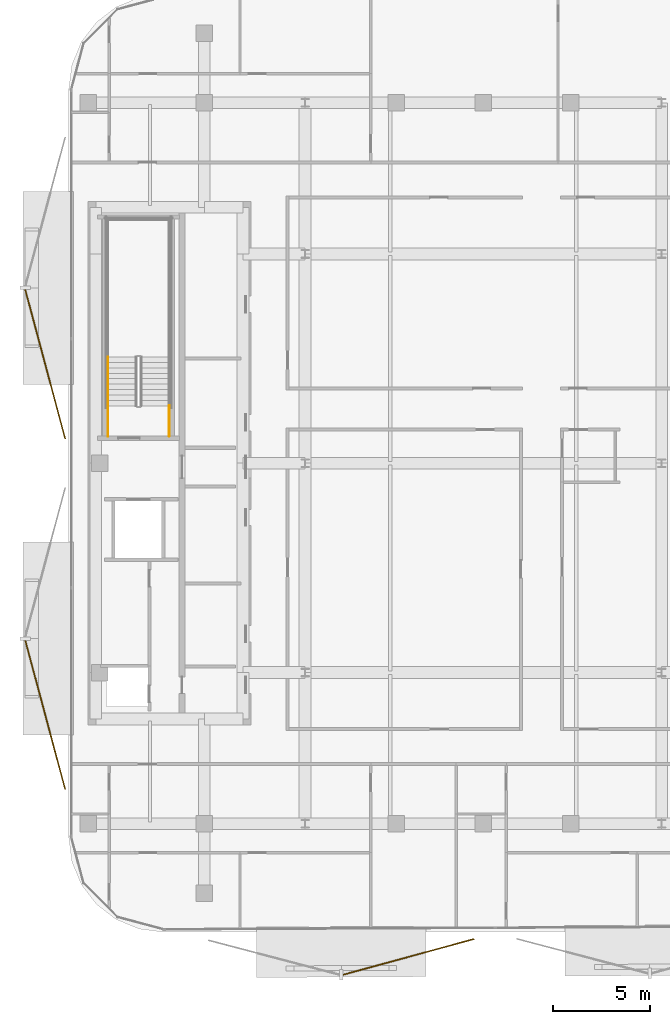
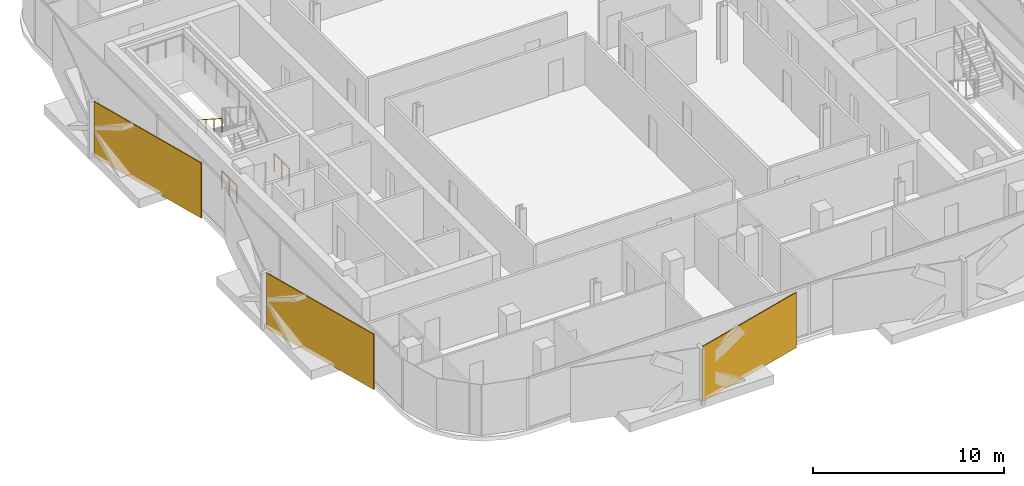
# One storey, part 12 of 15: 3 coverings, 3 railings.
"""IFC4 building model written with IfcOpenShell, lengths in metres."""

from ifc_helpers import new_model, si_unit, direction, frame, origin, origin_2d, place, context, subcontext, project, spatial, rectangle, circle, extrude, material, layer, layer_set, type_object, element, save


model = new_model("IFC4")

# Units and contexts
model_context = context("Model", 3, precision=1e-05, world=origin(), true_north=direction((0.0, 1.0)))
body_context = subcontext(model_context, "Body", "Model", "MODEL_VIEW")
ifc_project = project(units=[si_unit("LENGTHUNIT", "METRE"), si_unit("AREAUNIT", "SQUARE_METRE"), si_unit("VOLUMEUNIT", "CUBIC_METRE"), si_unit("PLANEANGLEUNIT", "RADIAN"), si_unit("MASSUNIT", "GRAM", prefix="KILO")], contexts=[model_context])

# Site, building, storey
site_placement = place(None, origin())
site = spatial("IfcSite", under=ifc_project, at=site_placement, CompositionType="ELEMENT")
building_placement = place(site_placement, origin())
building = spatial("IfcBuilding", under=site, at=building_placement, Name="Khairoan Windgate Tower", CompositionType="ELEMENT")
storey_placement = place(building_placement, frame((0.0, 0.0, 269.199951171875)))
storey = spatial("IfcBuildingStorey", under=building, at=storey_placement, Name="L64", CompositionType="ELEMENT", Elevation=269.199951171875)

# Coverings
ifc_material_1 = material(Name="Anodised Bronze Aluminium 6063-T6", Category="aluminium")
ifc_layer = layer(ifc_material_1, 0.054931640625, Name="Anodised Bronze Aluminium 6063-T6")
ifc_layer_set = layer_set([ifc_layer], Name="Anodised Bronze Aluminium 6063-T6")
covering_type = type_object("IfcCoveringType", Name="Perforated Bronze-Ceramic Folded Solar Screen Cladding BSC-1", PredefinedType="CLADDING", material=ifc_layer_set)
covering_placement = place(storey_placement, frame((-3.85693359375, -25.4736328125, -0.099853515625), z_axis=(0.0, 0.0, 1.0), x_axis=(-0.964695449838, -0.263367972734, 0.0)))
element("IfcCovering", 1, at=covering_placement, inside=storey, type_object=covering_type, Name="L64 Folded Bronze Solar Screen Facet 442L", PredefinedType="CLADDING", context=body_context, shape_type="SweptSolid", body=[
    extrude(rectangle(XDim=7.0009765625, YDim=0.054931640625, at=origin_2d()), origin(), (0.0, 0.0, 1.0), 3.5400390625),
])
for number, where, z_axis, x_axis, name in (
    (2, (-22.60986328125, -12.979736328125, -0.099853515625), (0.0, 0.0, 1.0), (-0.258819045103, 0.965925826289, 0.0), "L64 Folded Bronze Solar Screen Facet 443L"),
    (3, (-22.60986328125, 5.111083984375, -0.099853515625), (0.0, 0.0, 1.0), (-0.258819045103, 0.965925826289, 0.0), "L64 Folded Bronze Solar Screen Facet 444L"),
):
    element("IfcCovering", number, at=place(storey_placement, frame(where, z_axis=z_axis, x_axis=x_axis)), inside=storey, type_object=covering_type, Name=name, PredefinedType="CLADDING", context=body_context, shape_type="SweptSolid", body=[
        extrude(rectangle(XDim=7.9599609375, YDim=0.054931640625, at=origin_2d()), origin(), (0.0, 0.0, 1.0), 3.5400390625),
    ])

# Railings
ifc_material_2 = material(Name="Anodised Bronze Aluminium 6063-T6", Category="aluminium")
railing_type_1 = type_object("IfcRailingType", Name="Stair Wall Handrail SHR-900", PredefinedType="HANDRAIL", material=ifc_material_2)
railing_placement = place(storey_placement, frame((-19.3701171875, 5.47998046875, 1.97998046875)))
element("IfcRailing", 4, at=railing_placement, inside=storey, type_object=railing_type_1, Name="L64 ST2 stair handrail 2", PredefinedType="HANDRAIL", context=body_context, shape_type="SweptSolid", body=[
    extrude(circle(Radius=0.02392578125, at=origin_2d()), frame((0.0, 0.0, 0.8759765625), z_axis=(0.0, -0.841162588446, 0.540782303519), x_axis=(1.0, 0.0, 0.0)), (0.0, 0.0, 1.0), 2.995849609375),
    extrude(circle(Radius=0.02099609375, at=origin_2d()), origin(), (0.0, 0.0, 1.0), 0.851806640625),
    extrude(circle(Radius=0.02099609375, at=origin_2d()), frame((0.0, -0.840087890625, 0.5400390625)), (0.0, 0.0, 1.0), 0.851806640625),
    extrude(circle(Radius=0.02099609375, at=origin_2d()), frame((0.0, -1.679931640625, 1.080078125)), (0.0, 0.0, 1.0), 0.851806640625),
    extrude(circle(Radius=0.02099609375, at=origin_2d()), frame((0.0, -2.52001953125, 1.6201171875)), (0.0, 0.0, 1.0), 0.851806640625),
])
ifc_material_3 = material(Name="Steel S355", Category="steel")
railing_type_2 = type_object("IfcRailingType", Name="Stairwell Safety Guardrail SGR-1150", PredefinedType="GUARDRAIL", material=ifc_material_3)
for number, where, name in (
    (5, (-16.199951171875, 1.39990234375, 0.0), "L64 ST2 stair guard 8"),
    (6, (-19.3701171875, 1.39990234375, 0.0), "L64 ST2 stair guard 9"),
):
    element("IfcRailing", number, at=place(storey_placement, frame(where)), inside=storey, type_object=railing_type_2, Name=name, PredefinedType="GUARDRAIL", context=body_context, shape_type="SweptSolid", body=[
        extrude(circle(Radius=0.02392578125, at=origin_2d()), frame((0.0, 0.0, 1.1259765625), z_axis=(0.0, 1.0, 0.0), x_axis=(-1.0, 0.0, 0.0)), (0.0, 0.0, 1.0), 1.56005859375),
        extrude(circle(Radius=0.02099609375, at=origin_2d()), origin(), (0.0, 0.0, 1.0), 1.101806640625),
        extrude(circle(Radius=0.02099609375, at=origin_2d()), frame((0.0, 0.780029296875, 0.0)), (0.0, 0.0, 1.0), 1.101806640625),
        extrude(circle(Radius=0.02099609375, at=origin_2d()), frame((0.0, 1.56005859375, 0.0)), (0.0, 0.0, 1.0), 1.101806640625),
    ])

save(model, "model.ifc")
